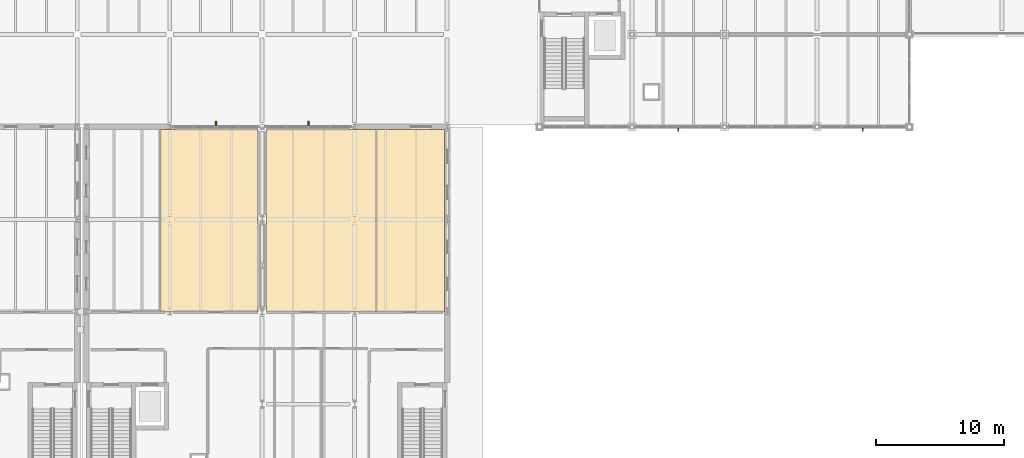
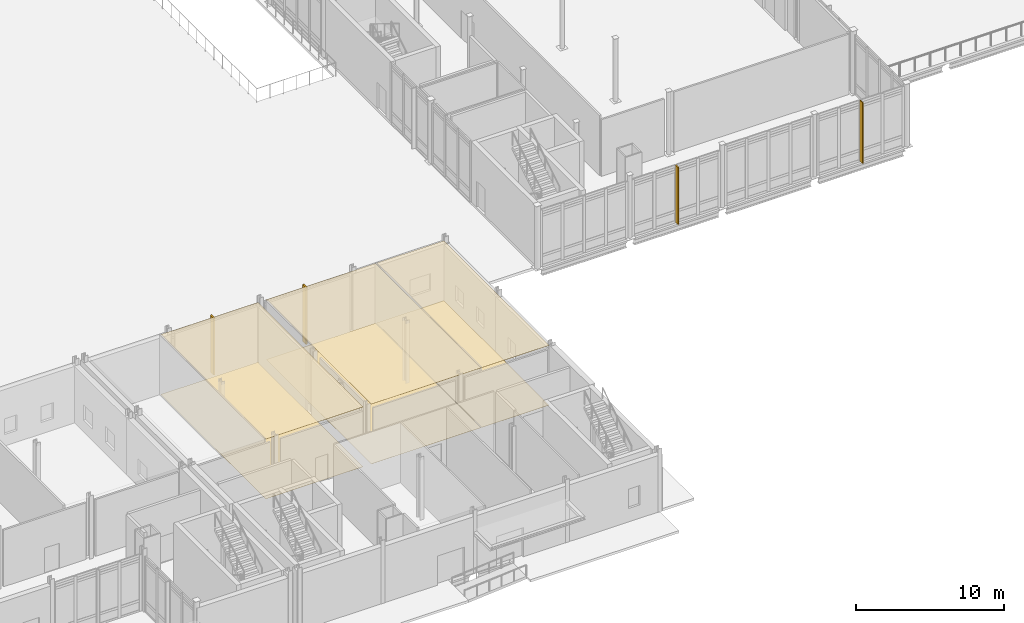
# One storey, part 80 of 89: 6 coverings, 4 shading devices.
"""IFC4 building model written with IfcOpenShell, lengths in metres."""

from ifc_helpers import new_model, si_unit, direction, frame, origin, origin_2d, place, context, subcontext, project, spatial, polyline, rectangle, outline, extrude, material, layer, layer_set, type_object, element, save


model = new_model("IFC4")

# Units and contexts
model_context = context("Model", 3, precision=1e-05, world=origin(), true_north=direction((0.0, 1.0)))
body_context = subcontext(model_context, "Body", "Model", "MODEL_VIEW")
ifc_project = project(units=[si_unit("LENGTHUNIT", "METRE"), si_unit("AREAUNIT", "SQUARE_METRE"), si_unit("VOLUMEUNIT", "CUBIC_METRE"), si_unit("PLANEANGLEUNIT", "RADIAN"), si_unit("MASSUNIT", "GRAM", prefix="KILO")], contexts=[model_context])

# Site, building, storey
site_placement = place(None, origin())
site = spatial("IfcSite", under=ifc_project, at=site_placement, CompositionType="ELEMENT")
building_placement = place(site_placement, origin())
building = spatial("IfcBuilding", under=site, at=building_placement, Name="Zarrinpeak Specialist Clinic", CompositionType="ELEMENT")
storey_placement = place(building_placement, origin())
storey = spatial("IfcBuildingStorey", under=building, at=storey_placement, Name="L00", CompositionType="ELEMENT", Elevation=0.0)

# Coverings
ifc_material_1 = material(Name="Hygienic Acoustic Mineral Fibre Tile")
ifc_layer_1 = layer(ifc_material_1, 0.02490234375)
ifc_layer_set_1 = layer_set([ifc_layer_1], Name="Hygienic Acoustic Mineral Fibre Tile")
covering_type_1 = type_object("IfcCoveringType", Name="CV-CEIL-AC", PredefinedType="CEILING", material=ifc_layer_set_1)
covering_1_placement = place(storey_placement, frame((0.0, 0.0, 4.9150390625)))
element("IfcCovering", 1, at=covering_1_placement, inside=storey, type_object=covering_type_1, Name="L00 Pre-Operative Assessment Room Hygienic Acoustic Ceiling", PredefinedType="CEILING", context=body_context, shape_type="SweptSolid", body=[
    extrude(outline(polyline([(80.919921875, 14.3701171875), (86.179931640625, 14.3701171875), (86.179931640625, 28.580078125), (80.919921875, 28.580078125), (80.919921875, 14.3701171875)])), origin(), (0.0, 0.0, 1.0), 0.02490234375),
])
covering_2_placement = place(storey_placement, frame((0.0, 0.0, 4.9150390625)))
element("IfcCovering", 2, at=covering_2_placement, inside=storey, type_object=covering_type_1, Name="L00 Specialist Consultation Room 1 Hygienic Acoustic Ceiling", PredefinedType="CEILING", context=body_context, shape_type="SweptSolid", body=[
    extrude(outline(polyline([(64.090087890625, 14.3701171875), (71.679931640625, 14.3701171875), (71.679931640625, 28.580078125), (64.090087890625, 28.580078125), (64.090087890625, 14.3701171875)])), origin(), (0.0, 0.0, 1.0), 0.02490234375),
])
covering_3_placement = place(storey_placement, frame((0.0, 0.0, 4.9150390625)))
element("IfcCovering", 3, at=covering_3_placement, inside=storey, type_object=covering_type_1, Name="L00 Specialist Consultation Room 2 Hygienic Acoustic Ceiling", PredefinedType="CEILING", context=body_context, shape_type="SweptSolid", body=[
    extrude(outline(polyline([(72.320068359375, 14.3701171875), (80.8798828125, 14.3701171875), (80.8798828125, 28.580078125), (72.320068359375, 28.580078125), (72.320068359375, 14.3701171875)])), origin(), (0.0, 0.0, 1.0), 0.02490234375),
])
ifc_material_2 = material(Name="Homogeneous Antimicrobial Clinical Vinyl")
ifc_layer_2 = layer(ifc_material_2, 0.008056640625)
ifc_layer_set_2 = layer_set([ifc_layer_2], Name="Homogeneous Antimicrobial Clinical Vinyl")
covering_type_2 = type_object("IfcCoveringType", Name="CV-FLR-VN", PredefinedType="FLOORING", material=ifc_layer_set_2)
covering_4_placement = place(storey_placement, frame((0.0, 0.0, 0.0009765625)))
element("IfcCovering", 4, at=covering_4_placement, inside=storey, type_object=covering_type_2, Name="L00 Pre-Operative Assessment Room Antimicrobial Vinyl Flooring", PredefinedType="FLOORING", context=body_context, shape_type="SweptSolid", body=[
    extrude(outline(polyline([(80.919921875, 14.3701171875), (86.179931640625, 14.3701171875), (86.179931640625, 28.580078125), (80.919921875, 28.580078125), (80.919921875, 14.3701171875)])), origin(), (0.0, 0.0, 1.0), 0.008056640625),
])
covering_5_placement = place(storey_placement, frame((0.0, 0.0, 0.0009765625)))
element("IfcCovering", 5, at=covering_5_placement, inside=storey, type_object=covering_type_2, Name="L00 Specialist Consultation Room 1 Antimicrobial Vinyl Flooring", PredefinedType="FLOORING", context=body_context, shape_type="SweptSolid", body=[
    extrude(outline(polyline([(64.090087890625, 14.3701171875), (71.679931640625, 14.3701171875), (71.679931640625, 28.580078125), (64.090087890625, 28.580078125), (64.090087890625, 14.3701171875)])), origin(), (0.0, 0.0, 1.0), 0.008056640625),
])
covering_6_placement = place(storey_placement, frame((0.0, 0.0, 0.0009765625)))
element("IfcCovering", 6, at=covering_6_placement, inside=storey, type_object=covering_type_2, Name="L00 Specialist Consultation Room 2 Antimicrobial Vinyl Flooring", PredefinedType="FLOORING", context=body_context, shape_type="SweptSolid", body=[
    extrude(outline(polyline([(72.320068359375, 14.3701171875), (80.8798828125, 14.3701171875), (80.8798828125, 28.580078125), (72.320068359375, 28.580078125), (72.320068359375, 14.3701171875)])), origin(), (0.0, 0.0, 1.0), 0.008056640625),
])

# Shading devices
ifc_material_3 = material(Name="Anodised Bronze Aluminium", Category="aluminium")
shading_device_type_1 = type_object("IfcShadingDeviceType", Name="SHD-FIN-BZ", PredefinedType="JALOUSIE", material=ifc_material_3)
shading_device_1_placement = place(storey_placement, frame((104.39990234375, 28.635009765625, -0.01513671875), z_axis=(0.0, 0.0, 1.0), x_axis=(1.0, 0.0, 0.0)))
element("IfcShadingDevice", 7, at=shading_device_1_placement, inside=storey, type_object=shading_device_type_1, Name="L00 V3 Solar Control Fin FIN-056", PredefinedType="JALOUSIE", context=body_context, shape_type="SweptSolid", body=[
    extrude(rectangle(XDim=0.074951171875, YDim=0.3798828125, at=origin_2d()), origin(), (0.0, 0.0, 1.0), 4.695068359375),
])
shading_device_2_placement = place(storey_placement, frame((118.779296875, 28.635009765625, -0.014892578125), z_axis=(0.0, 0.0, 1.0), x_axis=(1.0, 0.0, 0.0)))
element("IfcShadingDevice", 8, at=shading_device_2_placement, inside=storey, type_object=shading_device_type_1, Name="L00 V3 Solar Control Fin FIN-057", PredefinedType="JALOUSIE", context=body_context, shape_type="SweptSolid", body=[
    extrude(rectangle(XDim=0.074951171875, YDim=0.3798828125, at=origin_2d()), origin(), (0.0, 0.0, 1.0), 5.0),
])
ifc_material_4 = material(Name="Glulam GL28h", Category="wood")
shading_device_type_2 = type_object("IfcShadingDeviceType", Name="SHD-FIN-GL", PredefinedType="USERDEFINED", material=ifc_material_4)
for number, where, z_axis, x_axis, name in (
    (9, (68.39990234375, 29.0, -0.01513671875), (0.0, 0.0, 1.0), (1.0, 0.0, 0.0), "L00 V4 Cedar-Glulam Courtyard Fin FIN-046"),
    (10, (75.60009765625, 29.0, -0.01513671875), (0.0, 0.0, 1.0), (1.0, 0.0, 0.0), "L00 V4 Cedar-Glulam Courtyard Fin FIN-047"),
):
    element("IfcShadingDevice", number, at=place(storey_placement, frame(where, z_axis=z_axis, x_axis=x_axis)), inside=storey, type_object=shading_device_type_2, Name=name, ObjectType="SUNSHADE", PredefinedType="USERDEFINED", context=body_context, shape_type="SweptSolid", body=[
        extrude(rectangle(XDim=0.110107421875, YDim=0.449951171875, at=origin_2d()), origin(), (0.0, 0.0, 1.0), 4.695068359375),
    ])

save(model, "model.ifc")
